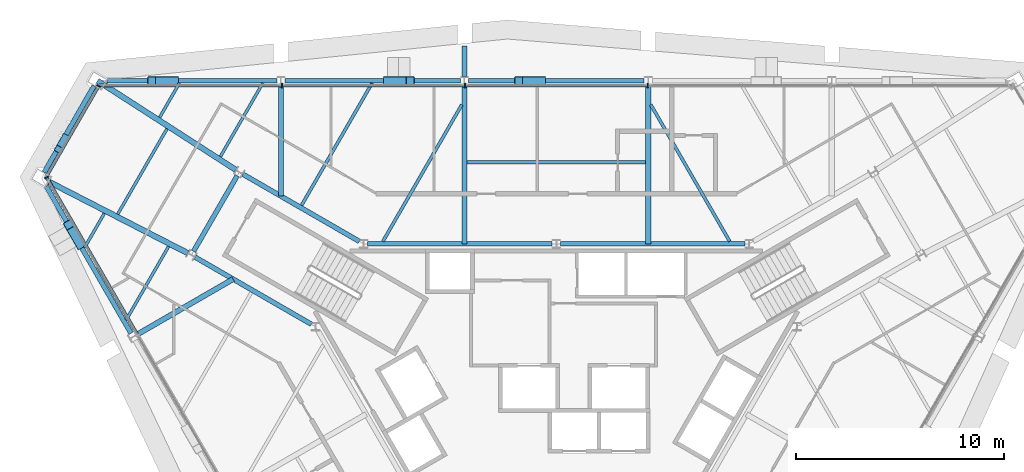
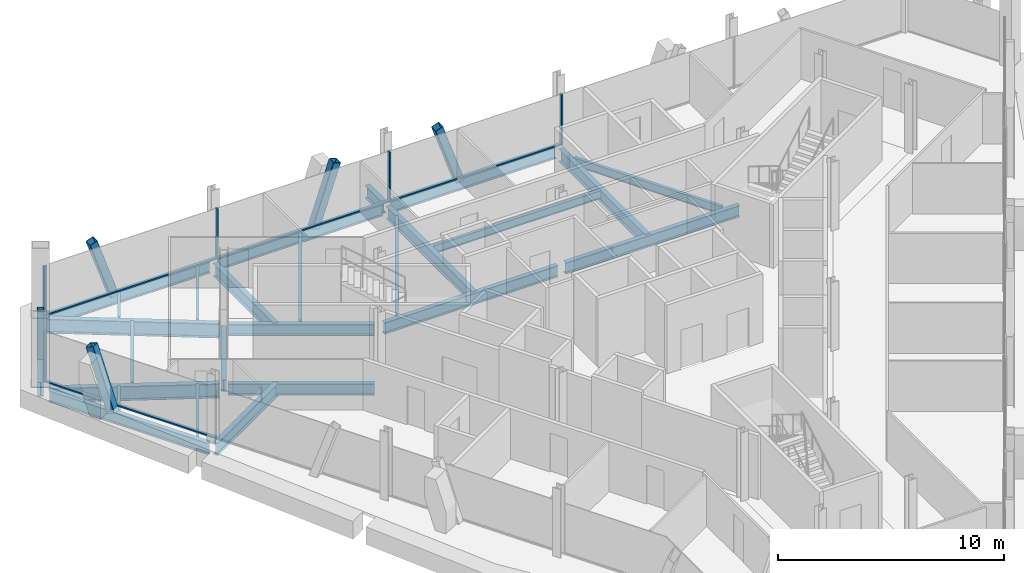
# One storey, part 6 of 14: 26 beams, 15 members, 3 elements without a shape of their own.
"""IFC4 building model written with IfcOpenShell, lengths in metres."""

from ifc_helpers import new_model, si_unit, direction, frame, origin, origin_2d, place, context, subcontext, project, spatial, rectangle, hollow_rectangle, i_section, extrude, material, material_profile, profile_set, type_object, element, aggregate, save


model = new_model("IFC4")

# Units and contexts
model_context = context("Model", 3, precision=1e-05, world=origin(), true_north=direction((0.0, 1.0)))
body_context = subcontext(model_context, "Body", "Model", "MODEL_VIEW")
ifc_project = project(units=[si_unit("LENGTHUNIT", "METRE"), si_unit("AREAUNIT", "SQUARE_METRE"), si_unit("VOLUMEUNIT", "CUBIC_METRE"), si_unit("PLANEANGLEUNIT", "RADIAN"), si_unit("MASSUNIT", "GRAM", prefix="KILO")], contexts=[model_context])

# Site, building, storey
site_placement = place(None, origin())
site = spatial("IfcSite", under=ifc_project, at=site_placement, CompositionType="ELEMENT")
building_placement = place(site_placement, origin())
building = spatial("IfcBuilding", under=site, at=building_placement, Name="Verrane Prism Tower", CompositionType="ELEMENT")
storey_placement = place(building_placement, frame((0.0, 0.0, 221.199951171875)))
storey = spatial("IfcBuildingStorey", under=building, at=storey_placement, Name="L55", CompositionType="ELEMENT", Elevation=221.199951171875)

# Member
ifc_material_1 = material(Name="Steel A500 Grade C", Category="steel")
ifc_material_profile_1 = material_profile(ifc_material_1, hollow_rectangle(XDim=0.3046875, YDim=0.3046875, WallThickness=0.0126953125, InnerFilletRadius=0.00634765625, OuterFilletRadius=0.01904296875, at=origin_2d()), Name="HSS12x12x1/2")
ifc_profile_set_1 = profile_set([ifc_material_profile_1], Name="Steel A500 Grade C")
member_type_1 = type_object("IfcMemberType", Name="Chamfer brace HSS12x12x1/2", PredefinedType="BRACE", material=ifc_profile_set_1)
member_1_placement = place(storey_placement, frame((-23.597900390625, 13.108154296875, -0.242431640625), z_axis=(-0.101662937662, -0.176564375849, 0.979024855807), x_axis=(0.866612565055, -0.498981625001, 0.0)))
element("IfcMember", 1, at=member_1_placement, inside=storey, type_object=member_type_1, Name="Chamfer brace NW0 L55", PredefinedType="BRACE", context=body_context, shape_type="SweptSolid", body=[
    extrude(hollow_rectangle(XDim=0.3046875, YDim=0.3046875, WallThickness=0.0126953125, InnerFilletRadius=0.00634765625, OuterFilletRadius=0.01904296875, at=origin_2d()), origin(), (0.0, 0.0, 1.0), 3.1748046875),
])

# Beams
ifc_material_2 = material(Name="Steel A992", Category="steel")
ifc_material_profile_2 = material_profile(ifc_material_2, i_section(OverallWidth=0.2666015625, OverallDepth=0.7568359375, WebThickness=0.013916015625, FlangeThickness=0.019287109375, FilletRadius=0.0166015625, at=origin_2d()), Name="W30x108")
ifc_profile_set_2 = profile_set([ifc_material_profile_2], Name="Steel A992")
beam_type_1 = type_object("IfcBeamType", Name="Chamfer spandrel beam W30x108", PredefinedType="SPANDREL", material=ifc_profile_set_2)
beam_1_placement = place(storey_placement, frame((-22.1796875, 15.570068359375, -0.538330078125), z_axis=(-0.499144251771, -0.866518906848, 0.0), x_axis=(0.866518906848, -0.499144251771, 0.0)))
element("IfcBeam", 2, at=beam_1_placement, inside=storey, type_object=beam_type_1, Name="Chamfer spandrel beam L55", PredefinedType="SPANDREL", context=body_context, shape_type="SweptSolid", body=[
    extrude(i_section(OverallWidth=0.2666015625, OverallDepth=0.7568359375, WebThickness=0.013916015625, FlangeThickness=0.019287109375, FilletRadius=0.0166015625, at=origin_2d()), origin(), (0.0, 0.0, 1.0), 4.78955078125),
])
ifc_material_3 = material(Name="Steel A992", Category="steel")
ifc_material_profile_3 = material_profile(ifc_material_3, i_section(OverallWidth=0.23046875, OverallDepth=0.6171875, WebThickness=0.01318359375, FlangeThickness=0.022216796875, FilletRadius=0.012939453125, at=origin_2d()), Name="W24x94")
ifc_profile_set_3 = profile_set([ifc_material_profile_3], Name="Steel A992")
beam_type_2 = type_object("IfcBeamType", Name="Core ring girder W24x94", PredefinedType="BEAM", material=ifc_profile_set_3)
for number, where, z_axis, x_axis, name in (
    (3, (9.060546875, 8.0, -0.55859375), (-1.0, 0.0, 0.0), (0.0, -1.0, 0.0), "Core ring girder L55"),
    (4, (-0.199462890625, 8.0, -0.55859375), (-1.0, 0.0, 0.0), (0.0, -1.0, 0.0), "Core ring girder L55"),
):
    element("IfcBeam", number, at=place(storey_placement, frame(where, z_axis=z_axis, x_axis=x_axis)), inside=storey, type_object=beam_type_2, Name=name, PredefinedType="BEAM", context=body_context, shape_type="SweptSolid", body=[
        extrude(i_section(OverallWidth=0.23046875, OverallDepth=0.6171875, WebThickness=0.01318359375, FlangeThickness=0.022216796875, FilletRadius=0.012939453125, at=origin_2d()), origin(), (0.0, 0.0, 1.0), 8.861083984375),
    ])
beam_2_placement = place(storey_placement, frame((-9.45947265625, 8.114990234375, -0.55859375), z_axis=(-0.866080992722, 0.499903704773, 0.0), x_axis=(-0.499903704773, -0.866080992722, 0.0)))
element("IfcBeam", 5, at=beam_2_placement, inside=storey, type_object=beam_type_2, Name="Core ring girder L55", PredefinedType="BEAM", context=body_context, shape_type="SweptSolid", body=[
    extrude(i_section(OverallWidth=0.23046875, OverallDepth=0.6171875, WebThickness=0.01318359375, FlangeThickness=0.022216796875, FilletRadius=0.012939453125, at=origin_2d()), origin(), (0.0, 0.0, 1.0), 6.451904296875),
])
beam_3_placement = place(storey_placement, frame((-15.3203125, 11.266357421875, -0.55859375), z_axis=(-0.500375511519, -0.865808493532, 0.0), x_axis=(0.865808493532, -0.500375511519, 0.0)))
element("IfcBeam", 6, at=beam_3_placement, inside=storey, type_object=beam_type_2, Name="Core ring girder L55", PredefinedType="BEAM", context=body_context, shape_type="SweptSolid", body=[
    extrude(i_section(OverallWidth=0.23046875, OverallDepth=0.6171875, WebThickness=0.01318359375, FlangeThickness=0.022216796875, FilletRadius=0.012939453125, at=origin_2d()), origin(), (0.0, 0.0, 1.0), 4.195556640625),
])
beam_4_placement = place(storey_placement, frame((-17.347412109375, 7.3603515625, -0.55859375), z_axis=(0.866080992722, -0.499903704773, 0.0), x_axis=(0.499903704773, 0.866080992722, 0.0)))
element("IfcBeam", 7, at=beam_4_placement, inside=storey, type_object=beam_type_2, Name="Core ring girder L55", PredefinedType="BEAM", context=body_context, shape_type="SweptSolid", body=[
    extrude(i_section(OverallWidth=0.23046875, OverallDepth=0.6171875, WebThickness=0.01318359375, FlangeThickness=0.022216796875, FilletRadius=0.012939453125, at=origin_2d()), origin(), (0.0, 0.0, 1.0), 6.451904296875),
])
ifc_material_4 = material(Name="Steel A992", Category="steel")
ifc_material_profile_4 = material_profile(ifc_material_4, i_section(OverallWidth=0.2666015625, OverallDepth=0.76708984375, WebThickness=0.014892578125, FlangeThickness=0.023681640625, FilletRadius=0.0166015625, at=origin_2d()), Name="W30x124")
ifc_profile_set_4 = profile_set([ifc_material_profile_4], Name="Steel A992")
beam_type_3 = type_object("IfcBeamType", Name="Corner girder W30x124", PredefinedType="BEAM", material=ifc_profile_set_4)
beam_5_placement = place(storey_placement, frame((-22.02880859375, 15.8291015625, -0.603515625), z_axis=(0.840503183153, -0.541806606742, 0.0), x_axis=(0.541806606742, 0.840503183153, 0.0)))
element("IfcBeam", 8, at=beam_5_placement, inside=storey, type_object=beam_type_3, Name="Corner girder L55", PredefinedType="BEAM", context=body_context, shape_type="SweptSolid", body=[
    extrude(i_section(OverallWidth=0.2666015625, OverallDepth=0.76708984375, WebThickness=0.014892578125, FlangeThickness=0.023681640625, FilletRadius=0.0166015625, at=origin_2d()), origin(), (0.0, 0.0, 1.0), 7.9013671875),
])
beam_6_placement = place(storey_placement, frame((-24.36376953125, 10.97705078125, -0.603515625), z_axis=(0.889427813273, -0.457075666576, 0.0), x_axis=(0.457075666576, 0.889427813273, 0.0)))
element("IfcBeam", 9, at=beam_6_placement, inside=storey, type_object=beam_type_3, Name="Corner girder L55", PredefinedType="BEAM", context=body_context, shape_type="SweptSolid", body=[
    extrude(i_section(OverallWidth=0.2666015625, OverallDepth=0.76708984375, WebThickness=0.014892578125, FlangeThickness=0.023681640625, FilletRadius=0.0166015625, at=origin_2d()), origin(), (0.0, 0.0, 1.0), 7.4951171875),
])

# Members
ifc_material_5 = material(Name="Steel A500 Grade C", Category="steel")
ifc_material_profile_5 = material_profile(ifc_material_5, hollow_rectangle(XDim=0.406494140625, YDim=0.406494140625, WallThickness=0.01904296875, InnerFilletRadius=0.009521484375, OuterFilletRadius=0.028564453125, at=origin_2d()), Name="HSS16x16x3/4")
ifc_profile_set_5 = profile_set([ifc_material_profile_5], Name="Steel A500 Grade C")
member_type_2 = type_object("IfcMemberType", Name="Facade brace HSS16x16x3/4", PredefinedType="BRACE", material=ifc_profile_set_5)
member_2_placement = place(storey_placement, frame((-0.7158203125, 15.830078125, -0.216552734375), z_axis=(-0.322360307942, 0.0, 0.946617046045), x_axis=(0.0, -1.0, 0.0)))
element("IfcMember", 10, at=member_2_placement, inside=storey, type_object=member_type_2, Name="Facade brace N2 L55", PredefinedType="BRACE", context=body_context, shape_type="SweptSolid", body=[
    extrude(hollow_rectangle(XDim=0.406494140625, YDim=0.406494140625, WallThickness=0.01904296875, InnerFilletRadius=0.009521484375, OuterFilletRadius=0.028564453125, at=origin_2d()), origin(), (0.0, 0.0, 1.0), 3.376220703125),
])
for number, where, z_axis, x_axis, name in (
    (11, (-8.10009765625, 15.830078125, -0.216552734375), (0.322101086538, 0.0, 0.946705281516), (0.0, 1.0, 0.0), "Facade brace N3 L55"),
    (12, (-18.340087890625, 15.830078125, -0.216552734375), (-0.322036269863, 0.0, 0.946727331861), (0.0, -1.0, 0.0), "Facade brace N4 L55"),
):
    element("IfcMember", number, at=place(storey_placement, frame(where, z_axis=z_axis, x_axis=x_axis)), inside=storey, type_object=member_type_2, Name=name, PredefinedType="BRACE", context=body_context, shape_type="SweptSolid", body=[
        extrude(hollow_rectangle(XDim=0.406494140625, YDim=0.406494140625, WallThickness=0.01904296875, InnerFilletRadius=0.009521484375, OuterFilletRadius=0.028564453125, at=origin_2d()), origin(), (0.0, 0.0, 1.0), 3.3759765625),
    ])
member_3_placement = place(storey_placement, frame((-22.877197265625, 7.964111328125, -0.216552734375), z_axis=(-0.160840106814, 0.278938980208, 0.946743632332), x_axis=(-0.866301479864, -0.499521517039, 0.0)))
element("IfcMember", 13, at=member_3_placement, inside=storey, type_object=member_type_2, Name="Facade brace SW0 L55", PredefinedType="BRACE", context=body_context, shape_type="SweptSolid", body=[
    extrude(hollow_rectangle(XDim=0.406494140625, YDim=0.406494140625, WallThickness=0.01904296875, InnerFilletRadius=0.009521484375, OuterFilletRadius=0.028564453125, at=origin_2d()), origin(), (0.0, 0.0, 1.0), 3.375732421875),
])

# Beams
ifc_material_6 = material(Name="Steel A992", Category="steel")
ifc_material_profile_6 = material_profile(ifc_material_6, i_section(OverallWidth=0.140380859375, OverallDepth=0.40380859375, WebThickness=0.007080078125, FlangeThickness=0.01123046875, FilletRadius=0.01025390625, at=origin_2d()), Name="W16x31")
ifc_profile_set_6 = profile_set([ifc_material_profile_6], Name="Steel A992")
beam_type_4 = type_object("IfcBeamType", Name="Floor beam W16x31", PredefinedType="BEAM", material=ifc_profile_set_6)
beam_7_placement = place(storey_placement, frame((-16.12890625, 12.184814453125, -0.36181640625), z_axis=(0.499978218965, 0.866037978706, 0.0), x_axis=(-0.866037978706, 0.499978218965, 0.0)))
element("IfcBeam", 14, at=beam_7_placement, inside=storey, type_object=beam_type_4, Name="Floor beam L55", PredefinedType="BEAM", context=body_context, shape_type="SweptSolid", body=[
    extrude(i_section(OverallWidth=0.140380859375, OverallDepth=0.40380859375, WebThickness=0.007080078125, FlangeThickness=0.01123046875, FilletRadius=0.01025390625, at=origin_2d()), origin(), (0.0, 0.0, 1.0), 4.076416015625),
])
beam_8_placement = place(storey_placement, frame((-19.0458984375, 14.065185546875, -0.36181640625), z_axis=(0.499929534118, 0.866066083458, 0.0), x_axis=(-0.866066083458, 0.499929534118, 0.0)))
element("IfcBeam", 15, at=beam_8_placement, inside=storey, type_object=beam_type_4, Name="Floor beam L55", PredefinedType="BEAM", context=body_context, shape_type="SweptSolid", body=[
    extrude(i_section(OverallWidth=0.140380859375, OverallDepth=0.40380859375, WebThickness=0.007080078125, FlangeThickness=0.01123046875, FilletRadius=0.01025390625, at=origin_2d()), origin(), (0.0, 0.0, 1.0), 1.905029296875),
])
beam_9_placement = place(storey_placement, frame((-20.654052734375, 4.33935546875, -0.36181640625), z_axis=(0.500007372378, 0.866021147298, 0.0), x_axis=(-0.866021147298, 0.500007372378, 0.0)))
element("IfcBeam", 16, at=beam_9_placement, inside=storey, type_object=beam_type_4, Name="Floor beam L55", PredefinedType="BEAM", context=body_context, shape_type="SweptSolid", body=[
    extrude(i_section(OverallWidth=0.140380859375, OverallDepth=0.40380859375, WebThickness=0.007080078125, FlangeThickness=0.01123046875, FilletRadius=0.01025390625, at=origin_2d()), origin(), (0.0, 0.0, 1.0), 4.07958984375),
])
beam_10_placement = place(storey_placement, frame((-22.65380859375, 7.80712890625, -0.36181640625), z_axis=(0.500036506332, 0.866004325818, 0.0), x_axis=(-0.866004325818, 0.500036506332, 0.0)))
element("IfcBeam", 17, at=beam_10_placement, inside=storey, type_object=beam_type_4, Name="Floor beam L55", PredefinedType="BEAM", context=body_context, shape_type="SweptSolid", body=[
    extrude(i_section(OverallWidth=0.140380859375, OverallDepth=0.40380859375, WebThickness=0.007080078125, FlangeThickness=0.01123046875, FilletRadius=0.01025390625, at=origin_2d()), origin(), (0.0, 0.0, 1.0), 1.906494140625),
])
beam_11_placement = place(storey_placement, frame((-21.0546875, 9.426513671875, -0.36181640625), z_axis=(0.499972881236, 0.866041060244, 0.0), x_axis=(-0.866041060244, 0.499972881236, 0.0)))
element("IfcBeam", 18, at=beam_11_placement, inside=storey, type_object=beam_type_4, Name="Floor beam L55", PredefinedType="BEAM", context=body_context, shape_type="SweptSolid", body=[
    extrude(i_section(OverallWidth=0.140380859375, OverallDepth=0.40380859375, WebThickness=0.007080078125, FlangeThickness=0.01123046875, FilletRadius=0.01025390625, at=origin_2d()), origin(), (0.0, 0.0, 1.0), 4.725830078125),
])
ifc_material_7 = material(Name="Steel A992", Category="steel")
ifc_material_profile_7 = material_profile(ifc_material_7, i_section(OverallWidth=0.15234375, OverallDepth=0.449462890625, WebThickness=0.007568359375, FlangeThickness=0.0107421875, FilletRadius=0.01025390625, at=origin_2d()), Name="W18x35")
ifc_profile_set_7 = profile_set([ifc_material_profile_7], Name="Steel A992")
beam_type_5 = type_object("IfcBeamType", Name="Floor beam W18x35", PredefinedType="BEAM", material=ifc_profile_set_7)
beam_12_placement = place(storey_placement, frame((8.3251953125, 8.114990234375, -0.384765625), z_axis=(-0.499979074716, 0.866037484666, 0.0), x_axis=(-0.866037484666, -0.499979074716, 0.0)))
element("IfcBeam", 19, at=beam_12_placement, inside=storey, type_object=beam_type_5, Name="Floor beam L55", PredefinedType="BEAM", context=body_context, shape_type="SweptSolid", body=[
    extrude(i_section(OverallWidth=0.15234375, OverallDepth=0.449462890625, WebThickness=0.007568359375, FlangeThickness=0.0107421875, FilletRadius=0.01025390625, at=origin_2d()), origin(), (0.0, 0.0, 1.0), 7.576416015625),
])
beam_13_placement = place(storey_placement, frame((-4.282958984375, 11.9150390625, -0.384765625), z_axis=(1.0, 0.0, 0.0), x_axis=(0.0, 1.0, 0.0)))
element("IfcBeam", 20, at=beam_13_placement, inside=storey, type_object=beam_type_5, Name="Floor beam L55", PredefinedType="BEAM", context=body_context, shape_type="SweptSolid", body=[
    extrude(i_section(OverallWidth=0.15234375, OverallDepth=0.449462890625, WebThickness=0.007568359375, FlangeThickness=0.0107421875, FilletRadius=0.01025390625, at=origin_2d()), origin(), (0.0, 0.0, 1.0), 8.56591796875),
])
beam_14_placement = place(storey_placement, frame((-8.3251953125, 8.114990234375, -0.384765625), z_axis=(0.499979074716, 0.866037484666, 0.0), x_axis=(-0.866037484666, 0.499979074716, 0.0)))
element("IfcBeam", 21, at=beam_14_placement, inside=storey, type_object=beam_type_5, Name="Floor beam L55", PredefinedType="BEAM", context=body_context, shape_type="SweptSolid", body=[
    extrude(i_section(OverallWidth=0.15234375, OverallDepth=0.449462890625, WebThickness=0.007568359375, FlangeThickness=0.0107421875, FilletRadius=0.01025390625, at=origin_2d()), origin(), (0.0, 0.0, 1.0), 7.576416015625),
])
beam_15_placement = place(storey_placement, frame((-12.22900390625, 9.849853515625, -0.384765625), z_axis=(0.499992893009, 0.866029506969, 0.0), x_axis=(-0.866029506969, 0.499992893009, 0.0)))
element("IfcBeam", 22, at=beam_15_placement, inside=storey, type_object=beam_type_5, Name="Floor beam L55", PredefinedType="BEAM", context=body_context, shape_type="SweptSolid", body=[
    extrude(i_section(OverallWidth=0.15234375, OverallDepth=0.449462890625, WebThickness=0.007568359375, FlangeThickness=0.0107421875, FilletRadius=0.01025390625, at=origin_2d()), origin(), (0.0, 0.0, 1.0), 6.7724609375),
])

# Curtain wall, members
ifc_material_8 = material(Name="Aluminium framed insulated glazing", Category="aluminium")
curtain_wall_type = type_object("IfcCurtainWallType", Name="Curtain wall CW-A 8400 module", PredefinedType="NOTDEFINED", material=ifc_material_8)
curtain_wall_1_placement = place(storey_placement, origin())
curtain_wall_1 = element("IfcCurtainWall", 23, at=curtain_wall_1_placement, inside=storey, type_object=curtain_wall_type, Name="Glazed curtain wall north face L55", PredefinedType="NOTDEFINED")
ifc_material_9 = material(Name="Aluminium alloy 6063-T6", Category="aluminium")
ifc_material_profile_8 = material_profile(ifc_material_9, rectangle(XDim=0.199951171875, YDim=0.070068359375, at=origin_2d()), Name="Mullion 70x200 aluminium")
ifc_profile_set_8 = profile_set([ifc_material_profile_8], Name="Aluminium alloy 6063-T6")
member_type_3 = type_object("IfcMemberType", Name="Mullion 70x200 aluminium", PredefinedType="MULLION", material=ifc_profile_set_8)
member_4_placement = place(storey_placement, frame((4.39111328125, 15.601806640625, 0.0), z_axis=(0.0, 0.0, 1.0), x_axis=(0.0, -1.0, 0.0)))
member_4 = element("IfcMember", 24, at=member_4_placement, type_object=member_type_3, Name="CW54.2 mullion 3", PredefinedType="MULLION", context=body_context, shape_type="SweptSolid", body=[
    extrude(rectangle(XDim=0.199951171875, YDim=0.070068359375, at=origin_2d()), origin(), (0.0, 0.0, 1.0), 2.712890625),
])
member_5_placement = place(storey_placement, frame((-4.39111328125, 15.601806640625, 0.0), z_axis=(0.0, 0.0, 1.0), x_axis=(0.0, -1.0, 0.0)))
member_5 = element("IfcMember", 25, at=member_5_placement, type_object=member_type_3, Name="CW54.2 mullion 4", PredefinedType="MULLION", context=body_context, shape_type="SweptSolid", body=[
    extrude(rectangle(XDim=0.199951171875, YDim=0.070068359375, at=origin_2d()), origin(), (0.0, 0.0, 1.0), 2.712890625),
])
member_6_placement = place(storey_placement, frame((-13.173095703125, 15.601806640625, 0.0), z_axis=(0.0, 0.0, 1.0), x_axis=(0.0, -1.0, 0.0)))
member_6 = element("IfcMember", 26, at=member_6_placement, type_object=member_type_3, Name="CW54.2 mullion 5", PredefinedType="MULLION", context=body_context, shape_type="SweptSolid", body=[
    extrude(rectangle(XDim=0.199951171875, YDim=0.070068359375, at=origin_2d()), origin(), (0.0, 0.0, 1.0), 2.712890625),
])

# Curtain wall, member
curtain_wall_2_placement = place(storey_placement, origin())
curtain_wall_2 = element("IfcCurtainWall", 27, at=curtain_wall_2_placement, inside=storey, type_object=curtain_wall_type, Name="Glazed curtain wall north-west corner L55", PredefinedType="NOTDEFINED")
member_7_placement = place(storey_placement, frame((-21.972900390625, 15.571533203125, 0.0), z_axis=(0.0, 0.0, 1.0), x_axis=(0.866028188915, -0.499995175981, 0.0)))
member_7 = element("IfcMember", 28, at=member_7_placement, type_object=member_type_3, Name="CW54.3 mullion 1", PredefinedType="MULLION", context=body_context, shape_type="SweptSolid", body=[
    extrude(rectangle(XDim=0.199951171875, YDim=0.070068359375, at=origin_2d()), origin(), (0.0, 0.0, 1.0), 2.712890625),
])

curtain_wall_3_placement = place(storey_placement, origin())
curtain_wall_3 = element("IfcCurtainWall", 29, at=curtain_wall_3_placement, inside=storey, type_object=curtain_wall_type, Name="Glazed curtain wall south-west face L55", PredefinedType="NOTDEFINED")
member_8_placement = place(storey_placement, frame((-24.4716796875, 11.1826171875, 0.0), z_axis=(0.0, 0.0, 1.0), x_axis=(0.866024862365, 0.500000937764, 0.0)))
member_8 = element("IfcMember", 30, at=member_8_placement, type_object=member_type_3, Name="CW54.4 mullion 1", PredefinedType="MULLION", context=body_context, shape_type="SweptSolid", body=[
    extrude(rectangle(XDim=0.199951171875, YDim=0.070068359375, at=origin_2d()), origin(), (0.0, 0.0, 1.0), 2.712890625),
])

# Beams
ifc_material_10 = material(Name="Steel A992", Category="steel")
ifc_material_profile_9 = material_profile(ifc_material_10, i_section(OverallWidth=0.25390625, OverallDepth=0.683349609375, WebThickness=0.012451171875, FlangeThickness=0.01904296875, FilletRadius=0.01513671875, at=origin_2d()), Name="W27x94")
ifc_profile_set_9 = profile_set([ifc_material_profile_9], Name="Steel A992")
beam_type_6 = type_object("IfcBeamType", Name="Radial girder W27x94", PredefinedType="BEAM", material=ifc_profile_set_9)
for number, where, z_axis, x_axis, name in (
    (31, (4.409912109375, 15.630615234375, -0.5615234375), (0.0, -1.0, 0.0), (1.0, 0.0, 0.0), "Radial girder L55"),
    (32, (-4.409912109375, 15.630615234375, -0.5615234375), (0.0, -1.0, 0.0), (1.0, 0.0, 0.0), "Radial girder L55"),
):
    element("IfcBeam", number, at=place(storey_placement, frame(where, z_axis=z_axis, x_axis=x_axis)), inside=storey, type_object=beam_type_6, Name=name, PredefinedType="BEAM", context=body_context, shape_type="SweptSolid", body=[
        extrude(i_section(OverallWidth=0.25390625, OverallDepth=0.683349609375, WebThickness=0.012451171875, FlangeThickness=0.01904296875, FilletRadius=0.01513671875, at=origin_2d()), origin(), (0.0, 0.0, 1.0), 7.630615234375),
    ])
beam_16_placement = place(storey_placement, frame((-13.219970703125, 15.630615234375, -0.5615234375), z_axis=(0.0, -1.0, 0.0), x_axis=(1.0, 0.0, 0.0)))
element("IfcBeam", 33, at=beam_16_placement, inside=storey, type_object=beam_type_6, Name="Radial girder L55", PredefinedType="BEAM", context=body_context, shape_type="SweptSolid", body=[
    extrude(i_section(OverallWidth=0.25390625, OverallDepth=0.683349609375, WebThickness=0.012451171875, FlangeThickness=0.01904296875, FilletRadius=0.01513671875, at=origin_2d()), origin(), (0.0, 0.0, 1.0), 5.344970703125),
])
beam_17_placement = place(storey_placement, frame((-20.147216796875, 3.629638671875, -0.5615234375), z_axis=(0.866020604947, 0.500008311739, 0.0), x_axis=(-0.500008311739, 0.866020604947, 0.0)))
element("IfcBeam", 34, at=beam_17_placement, inside=storey, type_object=beam_type_6, Name="Radial girder L55", PredefinedType="BEAM", context=body_context, shape_type="SweptSolid", body=[
    extrude(i_section(OverallWidth=0.25390625, OverallDepth=0.683349609375, WebThickness=0.012451171875, FlangeThickness=0.01904296875, FilletRadius=0.01513671875, at=origin_2d()), origin(), (0.0, 0.0, 1.0), 5.34765625),
])
beam_18_placement = place(storey_placement, frame((-4.409912109375, 16.025390625, -0.5615234375), z_axis=(0.0, 1.0, 0.0), x_axis=(-1.0, 0.0, 0.0)))
element("IfcBeam", 35, at=beam_18_placement, inside=storey, type_object=beam_type_6, Name="Cantilever girder L55", PredefinedType="BEAM", context=body_context, shape_type="SweptSolid", body=[
    extrude(i_section(OverallWidth=0.25390625, OverallDepth=0.683349609375, WebThickness=0.012451171875, FlangeThickness=0.01904296875, FilletRadius=0.01513671875, at=origin_2d()), origin(), (0.0, 0.0, 1.0), 1.4599609375),
])
ifc_material_11 = material(Name="Steel A992", Category="steel")
ifc_material_profile_10 = material_profile(ifc_material_11, i_section(OverallWidth=0.23046875, OverallDepth=0.6171875, WebThickness=0.01318359375, FlangeThickness=0.022216796875, FilletRadius=0.012939453125, at=origin_2d()), Name="W24x94")
ifc_profile_set_10 = profile_set([ifc_material_profile_10], Name="Steel A992")
beam_type_7 = type_object("IfcBeamType", Name="Spandrel beam W24x94", PredefinedType="SPANDREL", material=ifc_profile_set_10)
beam_19_placement = place(storey_placement, frame((4.209228515625, 15.830078125, -0.468505859375), z_axis=(-1.0, 0.0, 0.0), x_axis=(0.0, -1.0, 0.0)))
element("IfcBeam", 36, at=beam_19_placement, inside=storey, type_object=beam_type_7, Name="Spandrel beam L55", PredefinedType="SPANDREL", context=body_context, shape_type="SweptSolid", body=[
    extrude(i_section(OverallWidth=0.23046875, OverallDepth=0.6171875, WebThickness=0.01318359375, FlangeThickness=0.022216796875, FilletRadius=0.012939453125, at=origin_2d()), origin(), (0.0, 0.0, 1.0), 8.41845703125),
])
beam_20_placement = place(storey_placement, frame((-4.610595703125, 15.830078125, -0.468505859375), z_axis=(-1.0, 0.0, 0.0), x_axis=(0.0, -1.0, 0.0)))
element("IfcBeam", 37, at=beam_20_placement, inside=storey, type_object=beam_type_7, Name="Spandrel beam L55", PredefinedType="SPANDREL", context=body_context, shape_type="SweptSolid", body=[
    extrude(i_section(OverallWidth=0.23046875, OverallDepth=0.6171875, WebThickness=0.01318359375, FlangeThickness=0.022216796875, FilletRadius=0.012939453125, at=origin_2d()), origin(), (0.0, 0.0, 1.0), 8.40869140625),
])
beam_21_placement = place(storey_placement, frame((-13.420654296875, 15.830078125, -0.468505859375), z_axis=(-1.0, 0.0, 0.0), x_axis=(0.0, -1.0, 0.0)))
element("IfcBeam", 38, at=beam_21_placement, inside=storey, type_object=beam_type_7, Name="Spandrel beam L55", PredefinedType="SPANDREL", context=body_context, shape_type="SweptSolid", body=[
    extrude(i_section(OverallWidth=0.23046875, OverallDepth=0.6171875, WebThickness=0.01318359375, FlangeThickness=0.022216796875, FilletRadius=0.012939453125, at=origin_2d()), origin(), (0.0, 0.0, 1.0), 8.1474609375),
])
beam_22_placement = place(storey_placement, frame((-24.4892578125, 10.759765625, -0.468505859375), z_axis=(0.499572810058, -0.866271901571, 0.0), x_axis=(0.866271901571, 0.499572810058, 0.0)))
element("IfcBeam", 39, at=beam_22_placement, inside=storey, type_object=beam_type_7, Name="Spandrel beam L55", PredefinedType="SPANDREL", context=body_context, shape_type="SweptSolid", body=[
    extrude(i_section(OverallWidth=0.23046875, OverallDepth=0.6171875, WebThickness=0.01318359375, FlangeThickness=0.022216796875, FilletRadius=0.012939453125, at=origin_2d()), origin(), (0.0, 0.0, 1.0), 8.145263671875),
])

# Member
ifc_material_12 = material(Name="Aluminium alloy 6063-T6", Category="aluminium")
ifc_material_profile_11 = material_profile(ifc_material_12, rectangle(XDim=0.14990234375, YDim=0.070068359375, at=origin_2d()), Name="Transom 70x150 aluminium")
ifc_profile_set_11 = profile_set([ifc_material_profile_11], Name="Aluminium alloy 6063-T6")
member_type_4 = type_object("IfcMemberType", Name="Transom 70x150 aluminium", PredefinedType="USERDEFINED", material=ifc_profile_set_11)
member_9_placement = place(storey_placement, frame((4.35595703125, 15.601806640625, 0.03515625), z_axis=(-1.0, 0.0, 0.0), x_axis=(0.0, -1.0, 0.0)))
member_9 = element("IfcMember", 40, at=member_9_placement, type_object=member_type_4, Name="CW54.2 transom 3", ObjectType="TRANSOM", PredefinedType="USERDEFINED", context=body_context, shape_type="SweptSolid", body=[
    extrude(rectangle(XDim=0.14990234375, YDim=0.070068359375, at=origin_2d()), origin(), (0.0, 0.0, 1.0), 8.7119140625),
])

member_10_placement = place(storey_placement, frame((-4.426025390625, 15.601806640625, 0.03515625), z_axis=(-1.0, 0.0, 0.0), x_axis=(0.0, -1.0, 0.0)))
member_10 = element("IfcMember", 41, at=member_10_placement, type_object=member_type_4, Name="CW54.2 transom 4", ObjectType="TRANSOM", PredefinedType="USERDEFINED", context=body_context, shape_type="SweptSolid", body=[
    extrude(rectangle(XDim=0.14990234375, YDim=0.070068359375, at=origin_2d()), origin(), (0.0, 0.0, 1.0), 8.712158203125),
])

member_11_placement = place(storey_placement, frame((-13.208251953125, 15.601806640625, 0.03515625), z_axis=(-1.0, 0.0, 0.0), x_axis=(0.0, -1.0, 0.0)))
member_11 = element("IfcMember", 42, at=member_11_placement, type_object=member_type_4, Name="CW54.2 transom 5", ObjectType="TRANSOM", PredefinedType="USERDEFINED", context=body_context, shape_type="SweptSolid", body=[
    extrude(rectangle(XDim=0.14990234375, YDim=0.070068359375, at=origin_2d()), origin(), (0.0, 0.0, 1.0), 8.7470703125),
])

aggregate(curtain_wall_1, [member_4, member_5, member_6, member_9, member_10, member_11])

member_12_placement = place(storey_placement, frame((-21.990234375, 15.541259765625, 0.03515625), z_axis=(-0.500005754654, -0.866022081308, 0.0), x_axis=(0.866022081308, -0.500005754654, 0.0)))
member_12 = element("IfcMember", 43, at=member_12_placement, type_object=member_type_4, Name="CW54.3 transom 1", ObjectType="TRANSOM", PredefinedType="USERDEFINED", context=body_context, shape_type="SweptSolid", body=[
    extrude(rectangle(XDim=0.14990234375, YDim=0.070068359375, at=origin_2d()), origin(), (0.0, 0.0, 1.0), 4.998046875),
])

aggregate(curtain_wall_2, [member_7, member_12])

member_13_placement = place(storey_placement, frame((-24.4541015625, 11.15234375, 0.03515625), z_axis=(0.499982246889, -0.866035653305, 0.0), x_axis=(0.866035653305, 0.499982246889, 0.0)))
member_13 = element("IfcMember", 44, at=member_13_placement, type_object=member_type_4, Name="CW54.4 transom 1", ObjectType="TRANSOM", PredefinedType="USERDEFINED", context=body_context, shape_type="SweptSolid", body=[
    extrude(rectangle(XDim=0.14990234375, YDim=0.070068359375, at=origin_2d()), origin(), (0.0, 0.0, 1.0), 8.677001953125),
])

aggregate(curtain_wall_3, [member_8, member_13])

save(model, "model.ifc")
